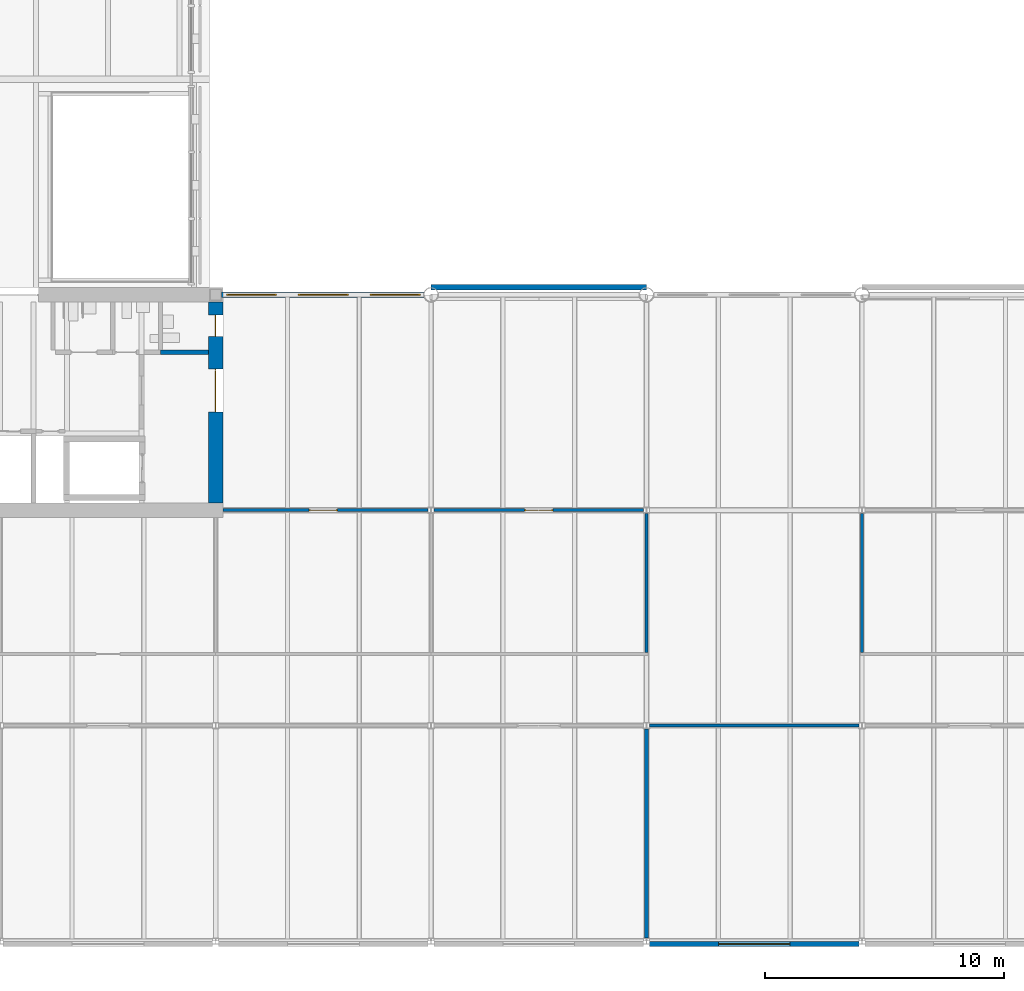
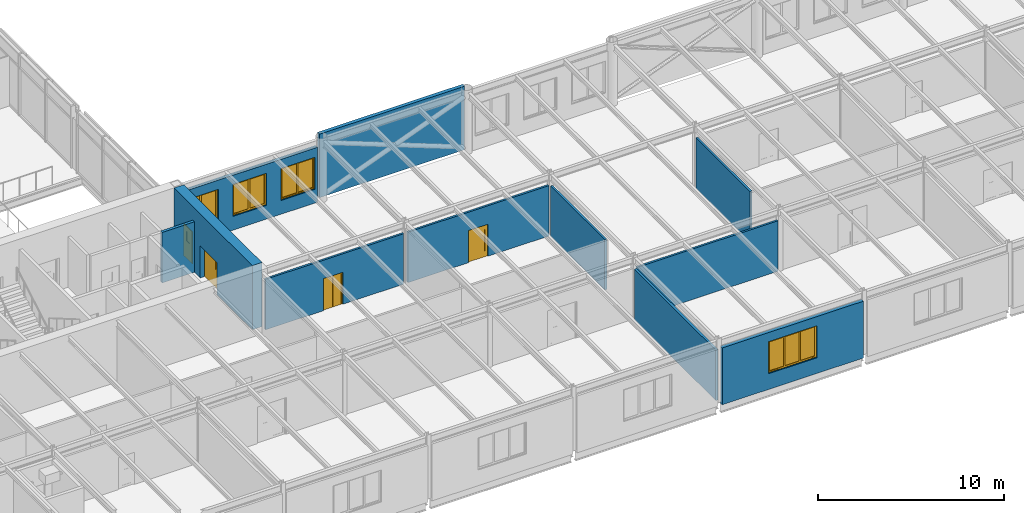
# One storey, part 63 of 123: 11 walls, 4 doors, 4 windows, 8 openings.
"""IFC4 building model written with IfcOpenShell, lengths in metres."""

from ifc_helpers import new_model, si_unit, direction, frame, frame_2d, origin, place, context, subcontext, project, spatial, polyline, rectangle, outline, extrude, material, layer, layer_set, type_object, element, fill, save


model = new_model("IFC4")

# Units and contexts
model_context = context("Model", 3, precision=1e-05, world=origin(), true_north=direction((0.0, 1.0)))
body_context = subcontext(model_context, "Body", "Model", "MODEL_VIEW")
ifc_project = project(units=[si_unit("LENGTHUNIT", "METRE"), si_unit("AREAUNIT", "SQUARE_METRE"), si_unit("VOLUMEUNIT", "CUBIC_METRE"), si_unit("PLANEANGLEUNIT", "RADIAN"), si_unit("MASSUNIT", "GRAM", prefix="KILO")], contexts=[model_context])

# Site, building, storey
site_placement = place(None, origin())
site = spatial("IfcSite", under=ifc_project, at=site_placement, CompositionType="ELEMENT")
building_placement = place(site_placement, origin())
building = spatial("IfcBuilding", under=site, at=building_placement, Name="Baradari Gate Terminus", CompositionType="ELEMENT")
storey_placement = place(building_placement, frame((0.0, 0.0, 7.5)))
storey = spatial("IfcBuildingStorey", under=building, at=storey_placement, Name="L01", CompositionType="ELEMENT", Elevation=7.5)

# Wall, openings, doors
ifc_material_1 = material(Name="Concrete C40/50", Category="concrete")
ifc_layer_1 = layer(ifc_material_1, 0.60009765625)
ifc_layer_set_1 = layer_set([ifc_layer_1], Name="Concrete C40/50")
wall_type_1 = type_object("IfcWallType", Name="Abutment core wall CWL04 600", PredefinedType="SOLIDWALL", material=ifc_layer_set_1)
wall_1_placement = place(storey_placement, frame((90.0, 27.300048828125, 0.0), z_axis=(0.0, 0.0, 1.0), x_axis=(0.0, 1.0, 0.0)))
wall_1 = element("IfcWall", 1, at=wall_1_placement, inside=storey, type_object=wall_type_1, Name="Abutment core wall GS E L01", PredefinedType="SOLIDWALL", context=body_context, shape_type="SweptSolid", body=[
    extrude(rectangle(XDim=8.39990234375, YDim=0.60009765625, at=frame_2d((4.199951171875, 0.0))), origin(), (0.0, 0.0, 1.0), 4.199951171875),
])
opening_1_placement = place(wall_1_placement, frame((3.800048828125, 0.0, 0.0)))
opening_1 = element("IfcOpeningElement", 2, at=opening_1_placement, cuts=wall_1, Name="Opening D01-103", PredefinedType="OPENING", context=body_context, shape_type="SweptSolid", body=[
    extrude(rectangle(XDim=1.800048828125, YDim=2.10009765625, at=frame_2d((0.89990234375, 1.050048828125))), frame((0.0, 0.31005859375, 0.0), z_axis=(0.0, -1.0, 0.0), x_axis=(1.0, 0.0, 0.0)), (0.0, 0.0, 1.0), 0.6201171875),
])
opening_2_placement = place(wall_1_placement, frame((6.949951171875, 0.0, 0.0)))
opening_2 = element("IfcOpeningElement", 3, at=opening_2_placement, cuts=wall_1, Name="Opening D01-107", PredefinedType="OPENING", context=body_context, shape_type="SweptSolid", body=[
    extrude(rectangle(XDim=0.89990234375, YDim=2.10009765625, at=frame_2d((0.449951171875, 1.050048828125))), frame((0.0, 0.31005859375, 0.0), z_axis=(0.0, -1.0, 0.0), x_axis=(1.0, 0.0, 0.0)), (0.0, 0.0, 1.0), 0.6201171875),
])
ifc_material_2 = material(Name="Steel S275", Category="steel")
door_type_1 = type_object("IfcDoorType", Name="Fire door FI-1800-FD90S 1800x2100 FD90S", OperationType="DOUBLE_DOOR_SINGLE_SWING", PredefinedType="DOOR", material=ifc_material_2)
door_1_placement = place(opening_1_placement, origin())
door_1 = element("IfcDoor", 4, at=door_1_placement, inside=storey, type_object=door_type_1, Name="Door Lift Lobby (Fire-fighting)", OperationType="DOUBLE_DOOR_SINGLE_SWING", OverallHeight=2.1, OverallWidth=1.8, PredefinedType="DOOR", context=body_context, shape_type="SweptSolid", body=[
    extrude(outline(polyline([(0.0, 0.0), (0.070068359375, 0.0), (0.070068359375, 2.030029296875), (1.72998046875, 2.030029296875), (1.72998046875, 0.0), (1.800048828125, 0.0), (1.800048828125, 2.10009765625), (0.0, 2.10009765625), (0.0, 0.0)])), frame((0.0, 0.02490234375, 0.0), z_axis=(0.0, -1.0, 0.0), x_axis=(1.0, 0.0, 0.0)), (0.0, 0.0, 1.0), 0.050048828125),
    extrude(outline(polyline([(0.073974609375, 0.010009765625), (0.89697265625, 0.010009765625), (0.89697265625, 2.026123046875), (0.073974609375, 2.026123046875), (0.073974609375, 0.010009765625)]), holes=[polyline([(0.194091796875, 0.159912109375), (0.77685546875, 0.159912109375), (0.77685546875, 1.010009765625), (0.194091796875, 1.010009765625), (0.194091796875, 0.159912109375)]), polyline([(0.33544921875, 1.159912109375), (0.635498046875, 1.159912109375), (0.635498046875, 1.760009765625), (0.33544921875, 1.760009765625), (0.33544921875, 1.159912109375)])]), frame((0.0, 0.017333984375, 0.0), z_axis=(0.0, -1.0, 0.0), x_axis=(1.0, 0.0, 0.0)), (0.0, 0.0, 1.0), 0.034912109375),
    extrude(rectangle(XDim=0.582763671875, YDim=0.85009765625, at=frame_2d((0.4853515625, 0.5849609375))), frame((0.0, 0.008544921875, 0.0), z_axis=(0.0, -1.0, 0.0), x_axis=(1.0, 0.0, 0.0)), (0.0, 0.0, 1.0), 0.017333984375),
    extrude(rectangle(XDim=0.300048828125, YDim=0.60009765625, at=frame_2d((0.4853515625, 1.4599609375))), frame((0.0, 0.005859375, 0.0), z_axis=(0.0, -1.0, 0.0), x_axis=(1.0, 0.0, 0.0)), (0.0, 0.0, 1.0), 0.011962890625),
    extrude(outline(polyline([(0.903076171875, 0.010009765625), (1.72607421875, 0.010009765625), (1.72607421875, 2.026123046875), (0.903076171875, 2.026123046875), (0.903076171875, 0.010009765625)]), holes=[polyline([(1.023193359375, 0.159912109375), (1.60595703125, 0.159912109375), (1.60595703125, 1.010009765625), (1.023193359375, 1.010009765625), (1.023193359375, 0.159912109375)]), polyline([(1.16455078125, 1.159912109375), (1.464599609375, 1.159912109375), (1.464599609375, 1.760009765625), (1.16455078125, 1.760009765625), (1.16455078125, 1.159912109375)])]), frame((0.0, 0.017333984375, 0.0), z_axis=(0.0, -1.0, 0.0), x_axis=(1.0, 0.0, 0.0)), (0.0, 0.0, 1.0), 0.034912109375),
    extrude(rectangle(XDim=0.582763671875, YDim=0.85009765625, at=frame_2d((1.314453125, 0.5849609375))), frame((0.0, 0.008544921875, 0.0), z_axis=(0.0, -1.0, 0.0), x_axis=(1.0, 0.0, 0.0)), (0.0, 0.0, 1.0), 0.017333984375),
    extrude(rectangle(XDim=0.300048828125, YDim=0.60009765625, at=frame_2d((1.314453125, 1.4599609375))), frame((0.0, 0.005859375, 0.0), z_axis=(0.0, -1.0, 0.0), x_axis=(1.0, 0.0, 0.0)), (0.0, 0.0, 1.0), 0.011962890625),
])
fill(opening_1, door_1)
ifc_material_3 = material(Name="Steel S275", Category="steel")
door_type_2 = type_object("IfcDoorType", Name="Fire door FI-900-FD90S 900x2100 FD90S", OperationType="SINGLE_SWING_LEFT", PredefinedType="DOOR", material=ifc_material_3)
door_2_placement = place(opening_2_placement, origin())
door_2 = element("IfcDoor", 5, at=door_2_placement, inside=storey, type_object=door_type_2, Name="Door Female WC", OperationType="SINGLE_SWING_LEFT", OverallHeight=2.1, OverallWidth=0.9, PredefinedType="DOOR", context=body_context, shape_type="SweptSolid", body=[
    extrude(outline(polyline([(0.0, 0.0), (0.070068359375, 0.0), (0.070068359375, 2.030029296875), (0.829833984375, 2.030029296875), (0.829833984375, 0.0), (0.89990234375, 0.0), (0.89990234375, 2.10009765625), (0.0, 2.10009765625), (0.0, 0.0)])), frame((0.0, 0.02490234375, 0.0), z_axis=(0.0, -1.0, 0.0), x_axis=(1.0, 0.0, 0.0)), (0.0, 0.0, 1.0), 0.050048828125),
    extrude(outline(polyline([(0.073974609375, 0.010009765625), (0.825927734375, 0.010009765625), (0.825927734375, 2.026123046875), (0.073974609375, 2.026123046875), (0.073974609375, 0.010009765625)]), holes=[polyline([(0.194091796875, 0.159912109375), (0.705810546875, 0.159912109375), (0.705810546875, 1.010009765625), (0.194091796875, 1.010009765625), (0.194091796875, 0.159912109375)]), polyline([(0.300048828125, 1.159912109375), (0.599853515625, 1.159912109375), (0.599853515625, 1.760009765625), (0.300048828125, 1.760009765625), (0.300048828125, 1.159912109375)])]), frame((0.0, 0.017333984375, 0.0), z_axis=(0.0, -1.0, 0.0), x_axis=(1.0, 0.0, 0.0)), (0.0, 0.0, 1.0), 0.034912109375),
    extrude(rectangle(XDim=0.51171875, YDim=0.85009765625, at=frame_2d((0.449951171875, 0.5849609375))), frame((0.0, 0.008544921875, 0.0), z_axis=(0.0, -1.0, 0.0), x_axis=(1.0, 0.0, 0.0)), (0.0, 0.0, 1.0), 0.017333984375),
    extrude(rectangle(XDim=0.2998046875, YDim=0.60009765625, at=frame_2d((0.449951171875, 1.4599609375))), frame((0.0, 0.005859375, 0.0), z_axis=(0.0, -1.0, 0.0), x_axis=(1.0, 0.0, 0.0)), (0.0, 0.0, 1.0), 0.011962890625),
])
fill(opening_2, door_2)

# Wall
ifc_material_4 = material(Name="Gypsum board")
ifc_layer_2 = layer(ifc_material_4, 0.125)
ifc_layer_set_2 = layer_set([ifc_layer_2], Name="Gypsum board")
wall_type_2 = type_object("IfcWallType", Name="Corridor partition PT-5 125 EI 30", PredefinedType="PARTITIONING", material=ifc_layer_set_2)
wall_2_placement = place(storey_placement, frame((116.871826171875, 18.0, 0.0), z_axis=(0.0, 0.0, 1.0), x_axis=(-1.0, 0.0, 0.0)))
element("IfcWall", 6, at=wall_2_placement, inside=storey, type_object=wall_type_2, Name="PT-5 partition Corridor (Service Corridor South) / Training Room South", PredefinedType="PARTITIONING", context=body_context, shape_type="SweptSolid", body=[
    extrude(rectangle(XDim=8.74365234375, YDim=0.125, at=frame_2d((4.371826171875, 0.0))), origin(), (0.0, 0.0, 1.0), 3.306884765625),
])

# Wall, opening, door
wall_3_placement = place(storey_placement, frame((98.871826171875, 27.0, 0.0), z_axis=(0.0, 0.0, 1.0), x_axis=(-1.0, 0.0, 0.0)))
wall_3 = element("IfcWall", 7, at=wall_3_placement, inside=storey, type_object=wall_type_2, Name="PT-5 partition South Gallery / South Wing Office 3", PredefinedType="PARTITIONING", context=body_context, shape_type="SweptSolid", body=[
    extrude(rectangle(XDim=8.56982421875, YDim=0.125, at=frame_2d((4.284912109375, 0.0))), origin(), (0.0, 0.0, 1.0), 3.306884765625),
])
opening_3_placement = place(wall_3_placement, frame((3.771728515625, 0.0, 0.0)))
opening_3 = element("IfcOpeningElement", 8, at=opening_3_placement, cuts=wall_3, Name="Opening D01-072", PredefinedType="OPENING", context=body_context, shape_type="SweptSolid", body=[
    extrude(rectangle(XDim=1.199951171875, YDim=2.10009765625, at=frame_2d((0.60009765625, 1.050048828125))), frame((0.0, 0.072509765625, 0.0), z_axis=(0.0, -1.0, 0.0), x_axis=(1.0, 0.0, 0.0)), (0.0, 0.0, 1.0), 0.14501953125),
])
ifc_material_5 = material(Name="Steel S275", Category="steel")
door_type_3 = type_object("IfcDoorType", Name="Fire door FI-1200-FD30S 1200x2100 FD30S", OperationType="DOUBLE_DOOR_SINGLE_SWING", PredefinedType="DOOR", material=ifc_material_5)
door_3_placement = place(opening_3_placement, origin())
door_3 = element("IfcDoor", 9, at=door_3_placement, inside=storey, type_object=door_type_3, Name="Door South Wing Office 3", OperationType="DOUBLE_DOOR_SINGLE_SWING", OverallHeight=2.1, OverallWidth=1.2, PredefinedType="DOOR", context=body_context, shape_type="SweptSolid", body=[
    extrude(outline(polyline([(0.0, 0.0), (0.070068359375, 0.0), (0.070068359375, 2.030029296875), (1.1298828125, 2.030029296875), (1.1298828125, 0.0), (1.199951171875, 0.0), (1.199951171875, 2.10009765625), (0.0, 2.10009765625), (0.0, 0.0)])), frame((0.0, 0.02490234375, 0.0), z_axis=(0.0, -1.0, 0.0), x_axis=(1.0, 0.0, 0.0)), (0.0, 0.0, 1.0), 0.050048828125),
    extrude(outline(polyline([(0.073974609375, 0.010009765625), (0.596923828125, 0.010009765625), (0.596923828125, 2.026123046875), (0.073974609375, 2.026123046875), (0.073974609375, 0.010009765625)]), holes=[polyline([(0.178466796875, 0.372802734375), (0.492431640625, 0.372802734375), (0.492431640625, 1.7841796875), (0.178466796875, 1.7841796875), (0.178466796875, 0.372802734375)])]), frame((0.0, 0.017333984375, 0.0), z_axis=(0.0, -1.0, 0.0), x_axis=(1.0, 0.0, 0.0)), (0.0, 0.0, 1.0), 0.034912109375),
    extrude(rectangle(XDim=0.31396484375, YDim=1.411376953125, at=frame_2d((0.33544921875, 1.07861328125))), frame((0.0, 0.008544921875, 0.0), z_axis=(0.0, -1.0, 0.0), x_axis=(1.0, 0.0, 0.0)), (0.0, 0.0, 1.0), 0.017333984375),
    extrude(outline(polyline([(0.60302734375, 0.010009765625), (1.1259765625, 0.010009765625), (1.1259765625, 2.026123046875), (0.60302734375, 2.026123046875), (0.60302734375, 0.010009765625)]), holes=[polyline([(0.70751953125, 0.372802734375), (1.021484375, 0.372802734375), (1.021484375, 1.7841796875), (0.70751953125, 1.7841796875), (0.70751953125, 0.372802734375)])]), frame((0.0, 0.017333984375, 0.0), z_axis=(0.0, -1.0, 0.0), x_axis=(1.0, 0.0, 0.0)), (0.0, 0.0, 1.0), 0.034912109375),
    extrude(rectangle(XDim=0.31396484375, YDim=1.411376953125, at=frame_2d((0.864501953125, 1.07861328125))), frame((0.0, 0.008544921875, 0.0), z_axis=(0.0, -1.0, 0.0), x_axis=(1.0, 0.0, 0.0)), (0.0, 0.0, 1.0), 0.017333984375),
])
fill(opening_3, door_3)

wall_4_placement = place(storey_placement, frame((107.871826171875, 27.0, 0.0), z_axis=(0.0, 0.0, 1.0), x_axis=(-1.0, 0.0, 0.0)))
wall_4 = element("IfcWall", 10, at=wall_4_placement, inside=storey, type_object=wall_type_2, Name="PT-5 partition South Gallery / South Wing Office 4", PredefinedType="PARTITIONING", context=body_context, shape_type="SweptSolid", body=[
    extrude(rectangle(XDim=8.74365234375, YDim=0.125, at=frame_2d((4.371826171875, 0.0))), origin(), (0.0, 0.0, 1.0), 3.306884765625),
])
opening_4_placement = place(wall_4_placement, frame((3.771728515625, 0.0, 0.0)))
opening_4 = element("IfcOpeningElement", 11, at=opening_4_placement, cuts=wall_4, Name="Opening D01-073", PredefinedType="OPENING", context=body_context, shape_type="SweptSolid", body=[
    extrude(rectangle(XDim=1.199951171875, YDim=2.10009765625, at=frame_2d((0.60009765625, 1.050048828125))), frame((0.0, 0.072509765625, 0.0), z_axis=(0.0, -1.0, 0.0), x_axis=(1.0, 0.0, 0.0)), (0.0, 0.0, 1.0), 0.14501953125),
])
door_4_placement = place(opening_4_placement, origin())
door_4 = element("IfcDoor", 12, at=door_4_placement, inside=storey, type_object=door_type_3, Name="Door South Wing Office 4", OperationType="DOUBLE_DOOR_SINGLE_SWING", OverallHeight=2.1, OverallWidth=1.2, PredefinedType="DOOR", context=body_context, shape_type="SweptSolid", body=[
    extrude(outline(polyline([(0.0, 0.0), (0.070068359375, 0.0), (0.070068359375, 2.030029296875), (1.1298828125, 2.030029296875), (1.1298828125, 0.0), (1.199951171875, 0.0), (1.199951171875, 2.10009765625), (0.0, 2.10009765625), (0.0, 0.0)])), frame((0.0, 0.02490234375, 0.0), z_axis=(0.0, -1.0, 0.0), x_axis=(1.0, 0.0, 0.0)), (0.0, 0.0, 1.0), 0.050048828125),
    extrude(outline(polyline([(0.073974609375, 0.010009765625), (0.596923828125, 0.010009765625), (0.596923828125, 2.026123046875), (0.073974609375, 2.026123046875), (0.073974609375, 0.010009765625)]), holes=[polyline([(0.178466796875, 0.372802734375), (0.492431640625, 0.372802734375), (0.492431640625, 1.7841796875), (0.178466796875, 1.7841796875), (0.178466796875, 0.372802734375)])]), frame((0.0, 0.017333984375, 0.0), z_axis=(0.0, -1.0, 0.0), x_axis=(1.0, 0.0, 0.0)), (0.0, 0.0, 1.0), 0.034912109375),
    extrude(rectangle(XDim=0.31396484375, YDim=1.411376953125, at=frame_2d((0.33544921875, 1.07861328125))), frame((0.0, 0.008544921875, 0.0), z_axis=(0.0, -1.0, 0.0), x_axis=(1.0, 0.0, 0.0)), (0.0, 0.0, 1.0), 0.017333984375),
    extrude(outline(polyline([(0.60302734375, 0.010009765625), (1.1259765625, 0.010009765625), (1.1259765625, 2.026123046875), (0.60302734375, 2.026123046875), (0.60302734375, 0.010009765625)]), holes=[polyline([(0.70751953125, 0.372802734375), (1.021484375, 0.372802734375), (1.021484375, 1.7841796875), (0.70751953125, 1.7841796875), (0.70751953125, 0.372802734375)])]), frame((0.0, 0.017333984375, 0.0), z_axis=(0.0, -1.0, 0.0), x_axis=(1.0, 0.0, 0.0)), (0.0, 0.0, 1.0), 0.034912109375),
    extrude(rectangle(XDim=0.31396484375, YDim=1.411376953125, at=frame_2d((0.864501953125, 1.07861328125))), frame((0.0, 0.008544921875, 0.0), z_axis=(0.0, -1.0, 0.0), x_axis=(1.0, 0.0, 0.0)), (0.0, 0.0, 1.0), 0.017333984375),
])
fill(opening_4, door_4)

# Walls
for number, where, z_axis, x_axis, name in (
    (13, (108.0, 21.0625, 0.0), (0.0, 0.0, 1.0), (0.0, 1.0, 0.0), "PT-5 partition Corridor (Cross Passage South) / South Wing Office 4"),
    (14, (117.0, 26.869873046875, 0.0), (0.0, 0.0, 1.0), (0.0, -1.0, 0.0), "PT-5 partition Corridor (Cross Passage South) / South Wing Office 5"),
):
    element("IfcWall", number, at=place(storey_placement, frame(where, z_axis=z_axis, x_axis=x_axis)), inside=storey, type_object=wall_type_2, Name=name, PredefinedType="PARTITIONING", context=body_context, shape_type="SweptSolid", body=[
        extrude(rectangle(XDim=5.807373046875, YDim=0.125, at=frame_2d((2.90380859375, 0.0))), origin(), (0.0, 0.0, 1.0), 3.306884765625),
    ])

# Wall, opening, window
ifc_material_6 = material(Name="Light ochre laterite masonry", Category="masonry")
ifc_layer_3 = layer(ifc_material_6, 0.219970703125)
ifc_layer_set_3 = layer_set([ifc_layer_3], Name="Light ochre laterite masonry")
wall_type_3 = type_object("IfcWallType", Name="Laterite masonry wall WP-2 220", PredefinedType="SOLIDWALL", material=ifc_layer_set_3)
wall_5_placement = place(storey_placement, frame((108.127197265625, 8.880126953125, -0.1298828125), z_axis=(0.0, 0.0, 1.0), x_axis=(1.0, 0.0, 0.0)))
wall_5 = element("IfcWall", 15, at=wall_5_placement, inside=storey, type_object=wall_type_3, Name="south front wall SS bay 13 L01", PredefinedType="SOLIDWALL", context=body_context, shape_type="SweptSolid", body=[
    extrude(rectangle(XDim=8.74560546875, YDim=0.219970703125, at=frame_2d((4.372802734375, 0.0))), origin(), (0.0, 0.0, 1.0), 3.7265625),
])
opening_5_placement = place(wall_5_placement, frame((2.872802734375, 0.0, 1.030029296875)))
opening_5 = element("IfcOpeningElement", 16, at=opening_5_placement, cuts=wall_5, Name="Opening W5", PredefinedType="OPENING", context=body_context, shape_type="SweptSolid", body=[
    extrude(rectangle(XDim=3.0, YDim=2.10009765625, at=frame_2d((1.5, 1.050048828125))), frame((0.0, 0.119873046875, 0.0), z_axis=(0.0, -1.0, 0.0), x_axis=(1.0, 0.0, 0.0)), (0.0, 0.0, 1.0), 0.239990234375),
])
ifc_material_7 = material(Name="Aluminium 6063-T6", Category="aluminium")
window_type_1 = type_object("IfcWindowType", Name="Wide window, 4-light W5 3000x2100", PartitioningType="TRIPLE_PANEL_VERTICAL", PredefinedType="WINDOW", material=ifc_material_7)
window_1_placement = place(opening_5_placement, origin())
window_1 = element("IfcWindow", 17, at=window_1_placement, inside=storey, type_object=window_type_1, Name="Window W5 SS/12", OverallHeight=2.1, OverallWidth=3.0, PartitioningType="TRIPLE_PANEL_VERTICAL", PredefinedType="WINDOW", context=body_context, shape_type="SweptSolid", body=[
    extrude(outline(polyline([(0.0, 0.0), (3.0, 0.0), (3.0, 2.10009765625), (0.0, 2.10009765625), (0.0, 0.0)]), holes=[polyline([(0.070068359375, 0.070068359375), (2.929931640625, 0.070068359375), (2.929931640625, 2.030029296875), (0.070068359375, 2.030029296875), (0.070068359375, 0.070068359375)])]), frame((0.0, 0.030029296875, 0.0), z_axis=(0.0, -1.0, 0.0), x_axis=(1.0, 0.0, 0.0)), (0.0, 0.0, 1.0), 0.06005859375),
    extrude(rectangle(XDim=0.0400390625, YDim=1.9599609375, at=frame_2d((1.0166015625, 1.050048828125))), frame((0.0, 0.02197265625, 0.0), z_axis=(0.0, -1.0, 0.0), x_axis=(1.0, 0.0, 0.0)), (0.0, 0.0, 1.0), 0.0439453125),
    extrude(rectangle(XDim=0.0400390625, YDim=1.9599609375, at=frame_2d((1.9833984375, 1.050048828125))), frame((0.0, 0.02197265625, 0.0), z_axis=(0.0, -1.0, 0.0), x_axis=(1.0, 0.0, 0.0)), (0.0, 0.0, 1.0), 0.0439453125),
    extrude(outline(polyline([(0.070068359375, 0.070068359375), (0.99658203125, 0.070068359375), (0.99658203125, 2.030029296875), (0.070068359375, 2.030029296875), (0.070068359375, 0.070068359375)]), holes=[polyline([(0.10009765625, 0.10009765625), (0.966552734375, 0.10009765625), (0.966552734375, 2.0), (0.10009765625, 2.0), (0.10009765625, 0.10009765625)])]), frame((0.0, 0.0224609375, 0.0), z_axis=(0.0, -1.0, 0.0), x_axis=(1.0, 0.0, 0.0)), (0.0, 0.0, 1.0), 0.044921875),
    extrude(rectangle(XDim=0.866455078125, YDim=1.89990234375, at=frame_2d((0.533203125, 1.050048828125))), frame((0.0, 0.006103515625, 0.0), z_axis=(0.0, -1.0, 0.0), x_axis=(1.0, 0.0, 0.0)), (0.0, 0.0, 1.0), 0.01220703125),
    extrude(outline(polyline([(1.03662109375, 0.070068359375), (1.96337890625, 0.070068359375), (1.96337890625, 2.030029296875), (1.03662109375, 2.030029296875), (1.03662109375, 0.070068359375)]), holes=[polyline([(1.066650390625, 0.10009765625), (1.933349609375, 0.10009765625), (1.933349609375, 2.0), (1.066650390625, 2.0), (1.066650390625, 0.10009765625)])]), frame((0.0, 0.0224609375, 0.0), z_axis=(0.0, -1.0, 0.0), x_axis=(1.0, 0.0, 0.0)), (0.0, 0.0, 1.0), 0.044921875),
    extrude(rectangle(XDim=0.86669921875, YDim=1.89990234375, at=frame_2d((1.5, 1.050048828125))), frame((0.0, 0.006103515625, 0.0), z_axis=(0.0, -1.0, 0.0), x_axis=(1.0, 0.0, 0.0)), (0.0, 0.0, 1.0), 0.01220703125),
    extrude(outline(polyline([(2.00341796875, 0.070068359375), (2.929931640625, 0.070068359375), (2.929931640625, 2.030029296875), (2.00341796875, 2.030029296875), (2.00341796875, 0.070068359375)]), holes=[polyline([(2.033447265625, 0.10009765625), (2.89990234375, 0.10009765625), (2.89990234375, 2.0), (2.033447265625, 2.0), (2.033447265625, 0.10009765625)])]), frame((0.0, 0.0224609375, 0.0), z_axis=(0.0, -1.0, 0.0), x_axis=(1.0, 0.0, 0.0)), (0.0, 0.0, 1.0), 0.044921875),
    extrude(rectangle(XDim=0.866455078125, YDim=1.89990234375, at=frame_2d((2.466796875, 1.050048828125))), frame((0.0, 0.006103515625, 0.0), z_axis=(0.0, -1.0, 0.0), x_axis=(1.0, 0.0, 0.0)), (0.0, 0.0, 1.0), 0.01220703125),
])
fill(opening_5, window_1)

# Wall, openings, windows
wall_6_placement = place(storey_placement, frame((90.25, 36.0, 0.0), z_axis=(0.0, 0.0, 1.0), x_axis=(1.0, 0.0, 0.0)))
wall_6 = element("IfcWall", 18, at=wall_6_placement, inside=storey, type_object=wall_type_3, Name="platform side wall SN bay 11 L01", PredefinedType="SOLIDWALL", context=body_context, shape_type="SweptSolid", body=[
    extrude(rectangle(XDim=8.445068359375, YDim=0.219970703125, at=frame_2d((4.22265625, 0.0))), origin(), (0.0, 0.0, 1.0), 3.5966796875),
])
opening_6_placement = place(wall_6_placement, frame((0.199951171875, 0.0, 0.89990234375)))
opening_6 = element("IfcOpeningElement", 19, at=opening_6_placement, cuts=wall_6, Name="Opening W13", PredefinedType="OPENING", context=body_context, shape_type="SweptSolid", body=[
    extrude(rectangle(XDim=2.10009765625, YDim=2.10009765625, at=frame_2d((1.050048828125, 1.050048828125))), frame((0.0, 0.119873046875, 0.0), z_axis=(0.0, -1.0, 0.0), x_axis=(1.0, 0.0, 0.0)), (0.0, 0.0, 1.0), 0.239990234375),
])
opening_7_placement = place(wall_6_placement, frame((3.199951171875, 0.0, 0.89990234375)))
opening_7 = element("IfcOpeningElement", 20, at=opening_7_placement, cuts=wall_6, Name="Opening W13", PredefinedType="OPENING", context=body_context, shape_type="SweptSolid", body=[
    extrude(rectangle(XDim=2.10009765625, YDim=2.10009765625, at=frame_2d((1.050048828125, 1.050048828125))), frame((0.0, 0.119873046875, 0.0), z_axis=(0.0, -1.0, 0.0), x_axis=(1.0, 0.0, 0.0)), (0.0, 0.0, 1.0), 0.239990234375),
])
opening_8_placement = place(wall_6_placement, frame((6.199951171875, 0.0, 0.89990234375)))
opening_8 = element("IfcOpeningElement", 21, at=opening_8_placement, cuts=wall_6, Name="Opening W13", PredefinedType="OPENING", context=body_context, shape_type="SweptSolid", body=[
    extrude(rectangle(XDim=2.10009765625, YDim=2.10009765625, at=frame_2d((1.050048828125, 1.050048828125))), frame((0.0, 0.119873046875, 0.0), z_axis=(0.0, -1.0, 0.0), x_axis=(1.0, 0.0, 0.0)), (0.0, 0.0, 1.0), 0.239990234375),
])
ifc_material_8 = material(Name="Aluminium 6063-T6", Category="aluminium")
window_type_2 = type_object("IfcWindowType", Name="Platform-side office window W13 2100x2100", PartitioningType="DOUBLE_PANEL_VERTICAL", PredefinedType="WINDOW", material=ifc_material_8)
window_2_placement = place(opening_6_placement, origin())
window_2 = element("IfcWindow", 22, at=window_2_placement, inside=storey, type_object=window_type_2, Name="Window W13 SN/10", OverallHeight=2.1, OverallWidth=2.1, PartitioningType="DOUBLE_PANEL_VERTICAL", PredefinedType="WINDOW", context=body_context, shape_type="SweptSolid", body=[
    extrude(outline(polyline([(0.0, 0.0), (2.10009765625, 0.0), (2.10009765625, 2.10009765625), (0.0, 2.10009765625), (0.0, 0.0)]), holes=[polyline([(0.070068359375, 0.070068359375), (2.030029296875, 0.070068359375), (2.030029296875, 2.030029296875), (0.070068359375, 2.030029296875), (0.070068359375, 0.070068359375)])]), frame((0.0, 0.030029296875, 0.0), z_axis=(0.0, -1.0, 0.0), x_axis=(1.0, 0.0, 0.0)), (0.0, 0.0, 1.0), 0.06005859375),
    extrude(rectangle(XDim=0.0400390625, YDim=1.9599609375, at=frame_2d((1.050048828125, 1.050048828125))), frame((0.0, 0.02197265625, 0.0), z_axis=(0.0, -1.0, 0.0), x_axis=(1.0, 0.0, 0.0)), (0.0, 0.0, 1.0), 0.0439453125),
    extrude(outline(polyline([(0.070068359375, 0.070068359375), (1.030029296875, 0.070068359375), (1.030029296875, 2.030029296875), (0.070068359375, 2.030029296875), (0.070068359375, 0.070068359375)]), holes=[polyline([(0.10009765625, 0.10009765625), (1.0, 0.10009765625), (1.0, 2.0), (0.10009765625, 2.0), (0.10009765625, 0.10009765625)])]), frame((0.0, 0.0224609375, 0.0), z_axis=(0.0, -1.0, 0.0), x_axis=(1.0, 0.0, 0.0)), (0.0, 0.0, 1.0), 0.044921875),
    extrude(rectangle(XDim=0.89990234375, YDim=1.89990234375, at=frame_2d((0.550048828125, 1.050048828125))), frame((0.0, 0.006103515625, 0.0), z_axis=(0.0, -1.0, 0.0), x_axis=(1.0, 0.0, 0.0)), (0.0, 0.0, 1.0), 0.01220703125),
    extrude(outline(polyline([(1.070068359375, 0.070068359375), (2.030029296875, 0.070068359375), (2.030029296875, 2.030029296875), (1.070068359375, 2.030029296875), (1.070068359375, 0.070068359375)]), holes=[polyline([(1.10009765625, 0.10009765625), (2.0, 0.10009765625), (2.0, 2.0), (1.10009765625, 2.0), (1.10009765625, 0.10009765625)])]), frame((0.0, 0.0224609375, 0.0), z_axis=(0.0, -1.0, 0.0), x_axis=(1.0, 0.0, 0.0)), (0.0, 0.0, 1.0), 0.044921875),
    extrude(rectangle(XDim=0.89990234375, YDim=1.89990234375, at=frame_2d((1.550048828125, 1.050048828125))), frame((0.0, 0.006103515625, 0.0), z_axis=(0.0, -1.0, 0.0), x_axis=(1.0, 0.0, 0.0)), (0.0, 0.0, 1.0), 0.01220703125),
])
fill(opening_6, window_2)
window_3_placement = place(opening_7_placement, origin())
window_3 = element("IfcWindow", 23, at=window_3_placement, inside=storey, type_object=window_type_2, Name="Window W13 SN/10", OverallHeight=2.1, OverallWidth=2.1, PartitioningType="DOUBLE_PANEL_VERTICAL", PredefinedType="WINDOW", context=body_context, shape_type="SweptSolid", body=[
    extrude(outline(polyline([(0.0, 0.0), (2.10009765625, 0.0), (2.10009765625, 2.10009765625), (0.0, 2.10009765625), (0.0, 0.0)]), holes=[polyline([(0.070068359375, 0.070068359375), (2.030029296875, 0.070068359375), (2.030029296875, 2.030029296875), (0.070068359375, 2.030029296875), (0.070068359375, 0.070068359375)])]), frame((0.0, 0.030029296875, 0.0), z_axis=(0.0, -1.0, 0.0), x_axis=(1.0, 0.0, 0.0)), (0.0, 0.0, 1.0), 0.06005859375),
    extrude(rectangle(XDim=0.0400390625, YDim=1.9599609375, at=frame_2d((1.050048828125, 1.050048828125))), frame((0.0, 0.02197265625, 0.0), z_axis=(0.0, -1.0, 0.0), x_axis=(1.0, 0.0, 0.0)), (0.0, 0.0, 1.0), 0.0439453125),
    extrude(outline(polyline([(0.070068359375, 0.070068359375), (1.030029296875, 0.070068359375), (1.030029296875, 2.030029296875), (0.070068359375, 2.030029296875), (0.070068359375, 0.070068359375)]), holes=[polyline([(0.10009765625, 0.10009765625), (1.0, 0.10009765625), (1.0, 2.0), (0.10009765625, 2.0), (0.10009765625, 0.10009765625)])]), frame((0.0, 0.0224609375, 0.0), z_axis=(0.0, -1.0, 0.0), x_axis=(1.0, 0.0, 0.0)), (0.0, 0.0, 1.0), 0.044921875),
    extrude(rectangle(XDim=0.89990234375, YDim=1.89990234375, at=frame_2d((0.550048828125, 1.050048828125))), frame((0.0, 0.006103515625, 0.0), z_axis=(0.0, -1.0, 0.0), x_axis=(1.0, 0.0, 0.0)), (0.0, 0.0, 1.0), 0.01220703125),
    extrude(outline(polyline([(1.070068359375, 0.070068359375), (2.030029296875, 0.070068359375), (2.030029296875, 2.030029296875), (1.070068359375, 2.030029296875), (1.070068359375, 0.070068359375)]), holes=[polyline([(1.10009765625, 0.10009765625), (2.0, 0.10009765625), (2.0, 2.0), (1.10009765625, 2.0), (1.10009765625, 0.10009765625)])]), frame((0.0, 0.0224609375, 0.0), z_axis=(0.0, -1.0, 0.0), x_axis=(1.0, 0.0, 0.0)), (0.0, 0.0, 1.0), 0.044921875),
    extrude(rectangle(XDim=0.89990234375, YDim=1.89990234375, at=frame_2d((1.550048828125, 1.050048828125))), frame((0.0, 0.006103515625, 0.0), z_axis=(0.0, -1.0, 0.0), x_axis=(1.0, 0.0, 0.0)), (0.0, 0.0, 1.0), 0.01220703125),
])
fill(opening_7, window_3)
window_4_placement = place(opening_8_placement, origin())
window_4 = element("IfcWindow", 24, at=window_4_placement, inside=storey, type_object=window_type_2, Name="Window W13 SN/10", OverallHeight=2.1, OverallWidth=2.1, PartitioningType="DOUBLE_PANEL_VERTICAL", PredefinedType="WINDOW", context=body_context, shape_type="SweptSolid", body=[
    extrude(outline(polyline([(0.0, 0.0), (2.10009765625, 0.0), (2.10009765625, 2.10009765625), (0.0, 2.10009765625), (0.0, 0.0)]), holes=[polyline([(0.070068359375, 0.070068359375), (2.030029296875, 0.070068359375), (2.030029296875, 2.030029296875), (0.070068359375, 2.030029296875), (0.070068359375, 0.070068359375)])]), frame((0.0, 0.030029296875, 0.0), z_axis=(0.0, -1.0, 0.0), x_axis=(1.0, 0.0, 0.0)), (0.0, 0.0, 1.0), 0.06005859375),
    extrude(rectangle(XDim=0.0400390625, YDim=1.9599609375, at=frame_2d((1.050048828125, 1.050048828125))), frame((0.0, 0.02197265625, 0.0), z_axis=(0.0, -1.0, 0.0), x_axis=(1.0, 0.0, 0.0)), (0.0, 0.0, 1.0), 0.0439453125),
    extrude(outline(polyline([(0.070068359375, 0.070068359375), (1.030029296875, 0.070068359375), (1.030029296875, 2.030029296875), (0.070068359375, 2.030029296875), (0.070068359375, 0.070068359375)]), holes=[polyline([(0.10009765625, 0.10009765625), (1.0, 0.10009765625), (1.0, 2.0), (0.10009765625, 2.0), (0.10009765625, 0.10009765625)])]), frame((0.0, 0.0224609375, 0.0), z_axis=(0.0, -1.0, 0.0), x_axis=(1.0, 0.0, 0.0)), (0.0, 0.0, 1.0), 0.044921875),
    extrude(rectangle(XDim=0.89990234375, YDim=1.89990234375, at=frame_2d((0.550048828125, 1.050048828125))), frame((0.0, 0.006103515625, 0.0), z_axis=(0.0, -1.0, 0.0), x_axis=(1.0, 0.0, 0.0)), (0.0, 0.0, 1.0), 0.01220703125),
    extrude(outline(polyline([(1.070068359375, 0.070068359375), (2.030029296875, 0.070068359375), (2.030029296875, 2.030029296875), (1.070068359375, 2.030029296875), (1.070068359375, 0.070068359375)]), holes=[polyline([(1.10009765625, 0.10009765625), (2.0, 0.10009765625), (2.0, 2.0), (1.10009765625, 2.0), (1.10009765625, 0.10009765625)])]), frame((0.0, 0.0224609375, 0.0), z_axis=(0.0, -1.0, 0.0), x_axis=(1.0, 0.0, 0.0)), (0.0, 0.0, 1.0), 0.044921875),
    extrude(rectangle(XDim=0.89990234375, YDim=1.89990234375, at=frame_2d((1.550048828125, 1.050048828125))), frame((0.0, 0.006103515625, 0.0), z_axis=(0.0, -1.0, 0.0), x_axis=(1.0, 0.0, 0.0)), (0.0, 0.0, 1.0), 0.01220703125),
])
fill(opening_8, window_4)

# Walls
wall_7_placement = place(storey_placement, frame((99.0, 36.31005859375, 0.0), z_axis=(0.0, 0.0, 1.0), x_axis=(1.0, 0.0, 0.0)))
element("IfcWall", 25, at=wall_7_placement, inside=storey, type_object=wall_type_3, Name="External wall platform side bay 11 L01", PredefinedType="SOLIDWALL", context=body_context, shape_type="SweptSolid", body=[
    extrude(rectangle(XDim=9.0, YDim=0.219970703125, at=frame_2d((4.5, 0.0))), origin(), (0.0, 0.0, 1.0), 4.15869140625),
])
ifc_material_9 = material(Name="Blockwork wall, plastered", Category="masonry")
ifc_layer_4 = layer(ifc_material_9, 0.14990234375)
ifc_layer_set_4 = layer_set([ifc_layer_4], Name="Blockwork wall, plastered")
wall_type_4 = type_object("IfcWallType", Name="Partition PT-2 150 EI 60", PredefinedType="PARTITIONING", material=ifc_layer_set_4)
wall_8_placement = place(storey_placement, frame((108.0, 17.869873046875, 0.0), z_axis=(0.0, 0.0, 1.0), x_axis=(0.0, -1.0, 0.0)))
element("IfcWall", 26, at=wall_8_placement, inside=storey, type_object=wall_type_4, Name="PT-2 partition South Wing Lounge / Training Room South", PredefinedType="PARTITIONING", context=body_context, shape_type="SweptSolid", body=[
    extrude(rectangle(XDim=8.742919921875, YDim=0.14990234375, at=frame_2d((4.37158203125, 0.0))), origin(), (0.0, 0.0, 1.0), 3.306884765625),
])
ifc_material_10 = material(Name="Blockwork wall, tiled both faces", Category="masonry")
ifc_layer_5 = layer(ifc_material_10, 0.175048828125)
ifc_layer_set_5 = layer_set([ifc_layer_5], Name="Blockwork wall, tiled both faces")
wall_type_5 = type_object("IfcWallType", Name="WC wet wall PT-6 175 EI 60", PredefinedType="PARTITIONING", material=ifc_layer_set_5)
wall_9_placement = place(storey_placement, frame((87.699951171875, 33.60009765625, 0.0), z_axis=(0.0, 0.0, 1.0), x_axis=(1.0, 0.0, 0.0)))
element("IfcWall", 27, at=wall_9_placement, inside=storey, type_object=wall_type_5, Name="PT-6 partition Lift Lobby (Fire-fighting) / Female WC", PredefinedType="PARTITIONING", context=body_context, shape_type="SweptSolid", body=[
    extrude(rectangle(XDim=1.998046875, YDim=0.175048828125, at=frame_2d((0.9990234375, 0.0))), origin(), (0.0, 0.0, 1.0), 3.306884765625),
])

save(model, "model.ifc")
